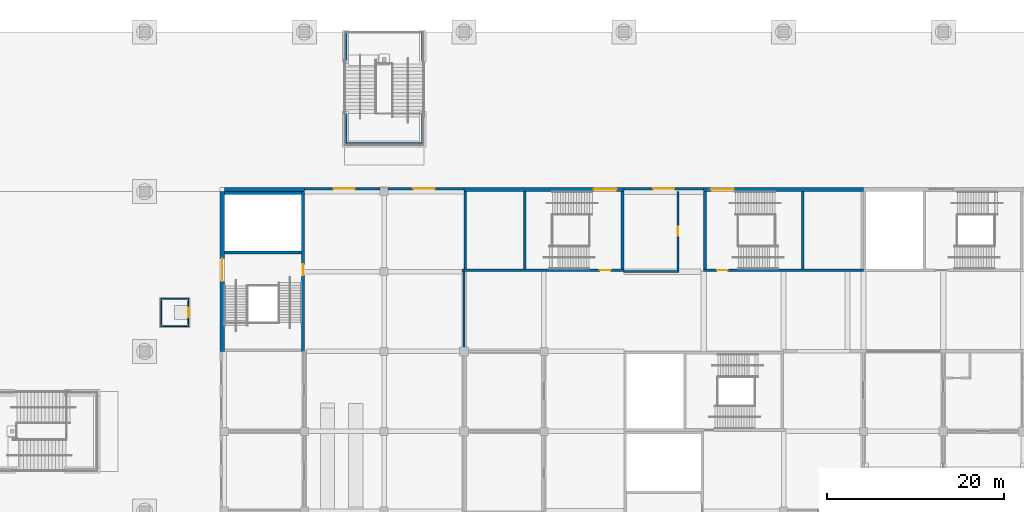
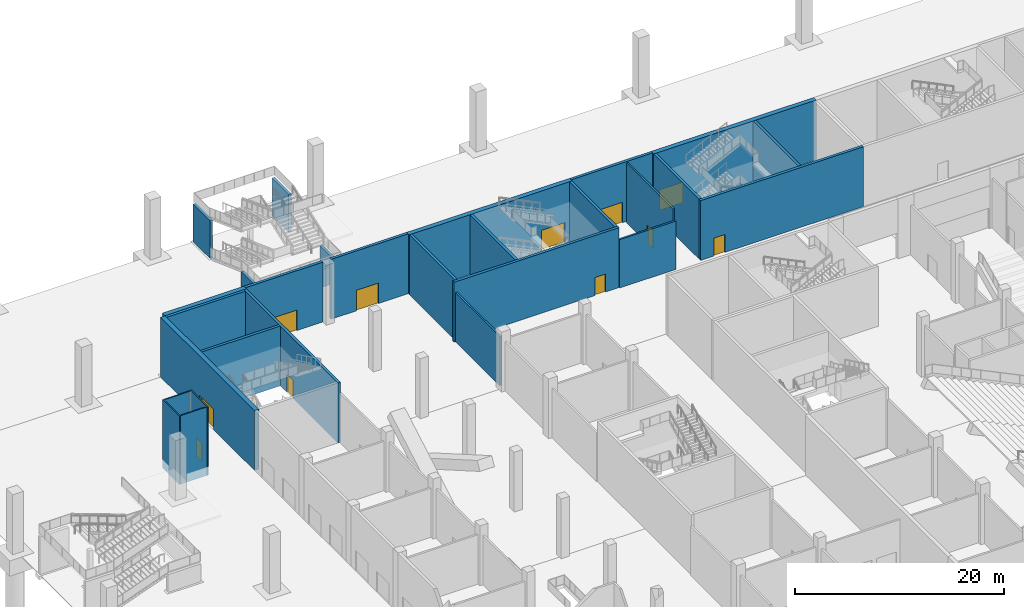
# One storey, part 39 of 92: 29 walls, 11 doors, 11 openings.
"""IFC4 building model written with IfcOpenShell, lengths in metres."""

from ifc_helpers import new_model, si_unit, direction, frame, frame_2d, origin, place, context, subcontext, project, spatial, rectangle, extrude, material, layer, layer_set, type_object, element, fill, save


model = new_model("IFC4")

# Units and contexts
model_context = context("Model", 3, precision=1e-05, world=origin(), true_north=direction((0.0, 1.0)))
body_context = subcontext(model_context, "Body", "Model", "MODEL_VIEW")
ifc_project = project(units=[si_unit("LENGTHUNIT", "METRE"), si_unit("AREAUNIT", "SQUARE_METRE"), si_unit("VOLUMEUNIT", "CUBIC_METRE"), si_unit("PLANEANGLEUNIT", "RADIAN"), si_unit("MASSUNIT", "GRAM", prefix="KILO")], contexts=[model_context])

# Site, building, storey
site_placement = place(None, origin())
site = spatial("IfcSite", under=ifc_project, at=site_placement, CompositionType="ELEMENT")
building_placement = place(site_placement, origin())
building = spatial("IfcBuilding", under=site, at=building_placement, Name="Silverbay Arena", CompositionType="ELEMENT")
storey_placement = place(building_placement, origin())
storey = spatial("IfcBuildingStorey", under=building, at=storey_placement, Name="L00", CompositionType="ELEMENT", Elevation=0.0)

# Wall, opening, door
ifc_material_1 = material(Name="Concrete Grade C45 precast, board-marked finish", Category="concrete")
ifc_layer_1 = layer(ifc_material_1, 0.300048828125)
ifc_layer_set_1 = layer_set([ifc_layer_1], Name="Concrete Grade C45 precast, board-marked finish")
wall_type_1 = type_object("IfcWallType", Name="Board-marked precast wall 300", PredefinedType="SOLIDWALL", material=ifc_layer_set_1)
wall_1_placement = place(storey_placement, frame((44.550048828125, 144.35009765625, 0.0), z_axis=(0.0, 0.0, 1.0), x_axis=(-1.0, 0.0, 0.0)))
wall_1 = element("IfcWall", 1, at=wall_1_placement, inside=storey, type_object=wall_type_1, Name="North external wall L00 bay 2", PredefinedType="SOLIDWALL", context=body_context, shape_type="SweptSolid", body=[
    extrude(rectangle(XDim=8.550048828125, YDim=0.300048828125, at=frame_2d((4.27490234375, 0.0))), origin(), (0.0, 0.0, 1.0), 7.0),
])
opening_1_placement = place(wall_1_placement, frame((2.85009765625, 0.0, 0.0)))
opening_1 = element("IfcOpeningElement", 2, at=opening_1_placement, cuts=wall_1, Name="Opening L00-129", PredefinedType="OPENING", context=body_context, shape_type="SweptSolid", body=[
    extrude(rectangle(XDim=2.39990234375, YDim=2.39990234375, at=frame_2d((1.199951171875, 1.199951171875))), frame((0.0, 0.16015625, 0.0), z_axis=(0.0, -1.0, 0.0), x_axis=(1.0, 0.0, 0.0)), (0.0, 0.0, 1.0), 0.320068359375),
])
ifc_material_2 = material(Name="Steel", Category="steel")
door_type_1 = type_object("IfcDoorType", Name="Exit gate door 2400 x 2400", OperationType="DOUBLE_DOOR_SINGLE_SWING", PredefinedType="DOOR", material=ifc_material_2)
door_1_placement = place(opening_1_placement, frame((2.39990234375, 0.0, 0.0), z_axis=(0.0, 0.0, 1.0), x_axis=(-1.0, 0.0, 0.0)))
door_1 = element("IfcDoor", 3, at=door_1_placement, inside=storey, type_object=door_type_1, Name="Pedestrian exit gate G29", OperationType="DOUBLE_DOOR_SINGLE_SWING", OverallHeight=2.39990234375, OverallWidth=2.39990234375, PredefinedType="DOOR", context=body_context, shape_type="SweptSolid", body=[
    extrude(rectangle(XDim=2.39990234375, YDim=2.39990234375, at=frame_2d((1.199951171875, 1.199951171875))), frame((0.0, 0.02490234375, 0.0), z_axis=(0.0, -1.0, 0.0), x_axis=(1.0, 0.0, 0.0)), (0.0, 0.0, 1.0), 0.050048828125),
])
fill(opening_1, door_1)

wall_2_placement = place(storey_placement, frame((54.0, 144.35009765625, 0.0), z_axis=(0.0, 0.0, 1.0), x_axis=(-1.0, 0.0, 0.0)))
wall_2 = element("IfcWall", 4, at=wall_2_placement, inside=storey, type_object=wall_type_1, Name="North external wall L00 bay 3", PredefinedType="SOLIDWALL", context=body_context, shape_type="SweptSolid", body=[
    extrude(rectangle(XDim=8.550048828125, YDim=0.300048828125, at=frame_2d((4.27490234375, 0.0))), origin(), (0.0, 0.0, 1.0), 7.0),
])
opening_2_placement = place(wall_2_placement, frame((3.300048828125, 0.0, 0.0)))
opening_2 = element("IfcOpeningElement", 5, at=opening_2_placement, cuts=wall_2, Name="Opening L00-130", PredefinedType="OPENING", context=body_context, shape_type="SweptSolid", body=[
    extrude(rectangle(XDim=2.39990234375, YDim=2.39990234375, at=frame_2d((1.199951171875, 1.199951171875))), frame((0.0, 0.16015625, 0.0), z_axis=(0.0, -1.0, 0.0), x_axis=(1.0, 0.0, 0.0)), (0.0, 0.0, 1.0), 0.320068359375),
])
door_2_placement = place(opening_2_placement, frame((2.39990234375, 0.0, 0.0), z_axis=(0.0, 0.0, 1.0), x_axis=(-1.0, 0.0, 0.0)))
door_2 = element("IfcDoor", 6, at=door_2_placement, inside=storey, type_object=door_type_1, Name="Pedestrian exit gate G30", OperationType="DOUBLE_DOOR_SINGLE_SWING", OverallHeight=2.39990234375, OverallWidth=2.39990234375, PredefinedType="DOOR", context=body_context, shape_type="SweptSolid", body=[
    extrude(rectangle(XDim=2.39990234375, YDim=2.39990234375, at=frame_2d((1.199951171875, 1.199951171875))), frame((0.0, 0.02490234375, 0.0), z_axis=(0.0, -1.0, 0.0), x_axis=(1.0, 0.0, 0.0)), (0.0, 0.0, 1.0), 0.050048828125),
])
fill(opening_2, door_2)

wall_3_placement = place(storey_placement, frame((81.0, 144.35009765625, 0.0), z_axis=(0.0, 0.0, 1.0), x_axis=(-1.0, 0.0, 0.0)))
wall_3 = element("IfcWall", 7, at=wall_3_placement, inside=storey, type_object=wall_type_1, Name="North external wall L00 bay 6", PredefinedType="SOLIDWALL", context=body_context, shape_type="SweptSolid", body=[
    extrude(rectangle(XDim=9.0, YDim=0.300048828125, at=frame_2d((4.5, 0.0))), origin(), (0.0, 0.0, 1.0), 7.0),
])
opening_3_placement = place(wall_3_placement, frame((3.300048828125, 0.0, 0.0)))
opening_3 = element("IfcOpeningElement", 8, at=opening_3_placement, cuts=wall_3, Name="Opening L00-131", PredefinedType="OPENING", context=body_context, shape_type="SweptSolid", body=[
    extrude(rectangle(XDim=2.39990234375, YDim=2.39990234375, at=frame_2d((1.199951171875, 1.199951171875))), frame((0.0, 0.16015625, 0.0), z_axis=(0.0, -1.0, 0.0), x_axis=(1.0, 0.0, 0.0)), (0.0, 0.0, 1.0), 0.320068359375),
])
door_3_placement = place(opening_3_placement, frame((2.39990234375, 0.0, 0.0), z_axis=(0.0, 0.0, 1.0), x_axis=(-1.0, 0.0, 0.0)))
door_3 = element("IfcDoor", 9, at=door_3_placement, inside=storey, type_object=door_type_1, Name="Pedestrian exit gate G31", OperationType="DOUBLE_DOOR_SINGLE_SWING", OverallHeight=2.39990234375, OverallWidth=2.39990234375, PredefinedType="DOOR", context=body_context, shape_type="SweptSolid", body=[
    extrude(rectangle(XDim=2.39990234375, YDim=2.39990234375, at=frame_2d((1.199951171875, 1.199951171875))), frame((0.0, 0.02490234375, 0.0), z_axis=(0.0, -1.0, 0.0), x_axis=(1.0, 0.0, 0.0)), (0.0, 0.0, 1.0), 0.050048828125),
])
fill(opening_3, door_3)

ifc_material_3 = material(Name="Concrete Grade C45", Category="concrete")
ifc_layer_2 = layer(ifc_material_3, 0.300048828125)
ifc_layer_set_2 = layer_set([ifc_layer_2], Name="Concrete Grade C45")
wall_type_2 = type_object("IfcWallType", Name="Core wall RC 300 EI 120", PredefinedType="SHEAR", material=ifc_layer_set_2)
wall_4_placement = place(storey_placement, frame((81.0, 135.14990234375, 0.0), z_axis=(0.0, 0.0, 1.0), x_axis=(1.0, 0.0, 0.0)))
wall_4 = element("IfcWall", 10, at=wall_4_placement, inside=storey, type_object=wall_type_2, Name="Core wall ST-N1 L00 door side", PredefinedType="SHEAR", context=body_context, shape_type="SweptSolid", body=[
    extrude(rectangle(XDim=18.0, YDim=0.300048828125, at=frame_2d((9.0, 0.0))), origin(), (0.0, 0.0, 1.0), 7.0),
])
opening_4_placement = place(wall_4_placement, frame((1.5, 0.0, 0.0)))
opening_4 = element("IfcOpeningElement", 11, at=opening_4_placement, cuts=wall_4, Name="Opening L00-166", PredefinedType="OPENING", context=body_context, shape_type="SweptSolid", body=[
    extrude(rectangle(XDim=1.199951171875, YDim=2.10009765625, at=frame_2d((0.60009765625, 1.050048828125))), frame((0.0, 0.16015625, 0.0), z_axis=(0.0, -1.0, 0.0), x_axis=(1.0, 0.0, 0.0)), (0.0, 0.0, 1.0), 0.320068359375),
])
ifc_material_4 = material(Name="Steel fire door", Category="steel")
door_type_2 = type_object("IfcDoorType", Name="Stair door 1200 x 2100 fire door", OperationType="SINGLE_SWING_LEFT", PredefinedType="DOOR", material=ifc_material_4)
door_4_placement = place(opening_4_placement, origin())
door_4 = element("IfcDoor", 12, at=door_4_placement, inside=storey, type_object=door_type_2, Name="Stair door ST-N1 L00", OperationType="SINGLE_SWING_LEFT", OverallHeight=2.10009765625, OverallWidth=1.199951171875, PredefinedType="DOOR", context=body_context, shape_type="SweptSolid", body=[
    extrude(rectangle(XDim=1.199951171875, YDim=2.10009765625, at=frame_2d((0.60009765625, 1.050048828125))), frame((0.0, 0.02490234375, 0.0), z_axis=(0.0, -1.0, 0.0), x_axis=(1.0, 0.0, 0.0)), (0.0, 0.0, 1.0), 0.050048828125),
])
fill(opening_4, door_4)

# Walls
for number, where, z_axis, x_axis, name in (
    (13, (81.14990234375, 135.300048828125, 0.0), (0.0, 0.0, 1.0), (0.0, 1.0, 0.0), "Core wall ST-N1 L00 end 1"),
    (14, (92.14990234375, 135.300048828125, 0.0), (0.0, 0.0, 1.0), (0.0, 1.0, 0.0), "Core wall ST-N1 L00 stair enclosure"),
):
    element("IfcWall", number, at=place(storey_placement, frame(where, z_axis=z_axis, x_axis=x_axis)), inside=storey, type_object=wall_type_2, Name=name, PredefinedType="SHEAR", context=body_context, shape_type="SweptSolid", body=[
        extrude(rectangle(XDim=8.699951171875, YDim=0.300048828125, at=frame_2d((4.35009765625, 0.0))), origin(), (0.0, 0.0, 1.0), 7.0),
    ])

# Wall, opening, door
wall_5_placement = place(storey_placement, frame((72.0, 135.14990234375, 0.0), z_axis=(0.0, 0.0, 1.0), x_axis=(-1.0, 0.0, 0.0)))
wall_5 = element("IfcWall", 15, at=wall_5_placement, inside=storey, type_object=wall_type_2, Name="Core wall ST-N5 L00 door side", PredefinedType="SHEAR", context=body_context, shape_type="SweptSolid", body=[
    extrude(rectangle(XDim=18.25, YDim=0.300048828125, at=frame_2d((9.125, 0.0))), origin(), (0.0, 0.0, 1.0), 7.0),
])
opening_5_placement = place(wall_5_placement, frame((1.5, 0.0, 0.0)))
opening_5 = element("IfcOpeningElement", 16, at=opening_5_placement, cuts=wall_5, Name="Opening L00-178", PredefinedType="OPENING", context=body_context, shape_type="SweptSolid", body=[
    extrude(rectangle(XDim=1.199951171875, YDim=2.10009765625, at=frame_2d((0.60009765625, 1.050048828125))), frame((0.0, 0.16015625, 0.0), z_axis=(0.0, -1.0, 0.0), x_axis=(1.0, 0.0, 0.0)), (0.0, 0.0, 1.0), 0.320068359375),
])
door_5_placement = place(opening_5_placement, frame((1.199951171875, 0.0, 0.0), z_axis=(0.0, 0.0, 1.0), x_axis=(-1.0, 0.0, 0.0)))
door_5 = element("IfcDoor", 17, at=door_5_placement, inside=storey, type_object=door_type_2, Name="Stair door ST-N5 L00", OperationType="SINGLE_SWING_RIGHT", OverallHeight=2.10009765625, OverallWidth=1.199951171875, PredefinedType="DOOR", context=body_context, shape_type="SweptSolid", body=[
    extrude(rectangle(XDim=1.199951171875, YDim=2.10009765625, at=frame_2d((0.60009765625, 1.050048828125))), frame((0.0, 0.02490234375, 0.0), z_axis=(0.0, -1.0, 0.0), x_axis=(1.0, 0.0, 0.0)), (0.0, 0.0, 1.0), 0.050048828125),
])
fill(opening_5, door_5)

# Walls
for number, where, z_axis, x_axis, name in (
    (18, (71.85009765625, 135.300048828125, 0.0), (0.0, 0.0, 1.0), (0.0, 1.0, 0.0), "Core wall ST-N5 L00 end 1"),
    (19, (54.14990234375, 135.300048828125, 0.0), (0.0, 0.0, 1.0), (0.0, 1.0, 0.0), "Core wall ST-N5 L00 end 2"),
    (20, (60.85009765625, 135.300048828125, 0.0), (0.0, 0.0, 1.0), (0.0, 1.0, 0.0), "Core wall ST-N5 L00 stair enclosure"),
):
    element("IfcWall", number, at=place(storey_placement, frame(where, z_axis=z_axis, x_axis=x_axis)), inside=storey, type_object=wall_type_2, Name=name, PredefinedType="SHEAR", context=body_context, shape_type="SweptSolid", body=[
        extrude(rectangle(XDim=8.699951171875, YDim=0.300048828125, at=frame_2d((4.35009765625, 0.0))), origin(), (0.0, 0.0, 1.0), 7.0),
    ])

# Wall, opening, door
wall_6_placement = place(storey_placement, frame((35.85009765625, 126.0, 0.0), z_axis=(0.0, 0.0, 1.0), x_axis=(0.0, 1.0, 0.0)))
wall_6 = element("IfcWall", 21, at=wall_6_placement, inside=storey, type_object=wall_type_2, Name="Core wall ST-WG2 L00 door side", PredefinedType="SHEAR", context=body_context, shape_type="SweptSolid", body=[
    extrude(rectangle(XDim=18.0, YDim=0.300048828125, at=frame_2d((9.0, 0.0))), origin(), (0.0, 0.0, 1.0), 7.0),
])
opening_6_placement = place(wall_6_placement, frame((8.60009765625, 0.0, 0.0)))
opening_6 = element("IfcOpeningElement", 22, at=opening_6_placement, cuts=wall_6, Name="Opening L00-196", PredefinedType="OPENING", context=body_context, shape_type="SweptSolid", body=[
    extrude(rectangle(XDim=1.199951171875, YDim=2.10009765625, at=frame_2d((0.60009765625, 1.050048828125))), frame((0.0, 0.16015625, 0.0), z_axis=(0.0, -1.0, 0.0), x_axis=(1.0, 0.0, 0.0)), (0.0, 0.0, 1.0), 0.320068359375),
])
door_6_placement = place(opening_6_placement, origin())
door_6 = element("IfcDoor", 23, at=door_6_placement, inside=storey, type_object=door_type_2, Name="Stair door ST-WG2 L00", OperationType="SINGLE_SWING_RIGHT", OverallHeight=2.10009765625, OverallWidth=1.199951171875, PredefinedType="DOOR", context=body_context, shape_type="SweptSolid", body=[
    extrude(rectangle(XDim=1.199951171875, YDim=2.10009765625, at=frame_2d((0.60009765625, 1.050048828125))), frame((0.0, 0.02490234375, 0.0), z_axis=(0.0, -1.0, 0.0), x_axis=(1.0, 0.0, 0.0)), (0.0, 0.0, 1.0), 0.050048828125),
])
fill(opening_6, door_6)

# Walls
for number, where, z_axis, x_axis, name in (
    (24, (35.699951171875, 143.85009765625, 0.0), (0.0, 0.0, 1.0), (-1.0, 0.0, 0.0), "Core wall ST-WG2 L00 end 2"),
    (25, (35.699951171875, 137.14990234375, 0.0), (0.0, 0.0, 1.0), (-1.0, 0.0, 0.0), "Core wall ST-WG2 L00 stair enclosure"),
):
    element("IfcWall", number, at=place(storey_placement, frame(where, z_axis=z_axis, x_axis=x_axis)), inside=storey, type_object=wall_type_2, Name=name, PredefinedType="SHEAR", context=body_context, shape_type="SweptSolid", body=[
        extrude(rectangle(XDim=8.699951171875, YDim=0.300048828125, at=frame_2d((4.35009765625, 0.0))), origin(), (0.0, 0.0, 1.0), 7.0),
    ])

# Wall, opening, door
ifc_material_5 = material(Name="Concrete Grade C45", Category="concrete")
ifc_layer_3 = layer(ifc_material_5, 0.5)
ifc_layer_set_3 = layer_set([ifc_layer_3], Name="Concrete Grade C45")
wall_type_3 = type_object("IfcWallType", Name="Core wall RC 500 external EI 120", PredefinedType="SHEAR", material=ifc_layer_set_3)
wall_7_placement = place(storey_placement, frame((81.0, 144.25, 0.0), z_axis=(0.0, 0.0, 1.0), x_axis=(1.0, 0.0, 0.0)))
wall_7 = element("IfcWall", 26, at=wall_7_placement, inside=storey, type_object=wall_type_3, Name="Core wall ST-N1 L00 facade side", PredefinedType="SHEAR", context=body_context, shape_type="SweptSolid", body=[
    extrude(rectangle(XDim=18.0, YDim=0.5, at=frame_2d((9.0, 0.0))), origin(), (0.0, 0.0, 1.0), 7.0),
])
opening_7_placement = place(wall_7_placement, frame((0.800048828125, 0.0, 0.0)))
opening_7 = element("IfcOpeningElement", 27, at=opening_7_placement, cuts=wall_7, Name="Opening L00-167", PredefinedType="OPENING", context=body_context, shape_type="SweptSolid", body=[
    extrude(rectangle(XDim=2.60009765625, YDim=2.39990234375, at=frame_2d((1.300048828125, 1.199951171875))), frame((0.0, 0.260009765625, 0.0), z_axis=(0.0, -1.0, 0.0), x_axis=(1.0, 0.0, 0.0)), (0.0, 0.0, 1.0), 0.52001953125),
])
ifc_material_6 = material(Name="Steel and glass", Category="steel")
door_type_3 = type_object("IfcDoorType", Name="Exit door double leaf 2600 x 2400", OperationType="DOUBLE_DOOR_SINGLE_SWING", PredefinedType="DOOR", material=ifc_material_6)
door_7_placement = place(opening_7_placement, origin())
door_7 = element("IfcDoor", 28, at=door_7_placement, inside=storey, type_object=door_type_3, Name="Pedestrian exit gate G65", OperationType="DOUBLE_DOOR_SINGLE_SWING", OverallHeight=2.39990234375, OverallWidth=2.60009765625, PredefinedType="DOOR", context=body_context, shape_type="SweptSolid", body=[
    extrude(rectangle(XDim=2.60009765625, YDim=2.39990234375, at=frame_2d((1.300048828125, 1.199951171875))), frame((0.0, 0.02490234375, 0.0), z_axis=(0.0, -1.0, 0.0), x_axis=(1.0, 0.0, 0.0)), (0.0, 0.0, 1.0), 0.050048828125),
])
fill(opening_7, door_7)

wall_8_placement = place(storey_placement, frame((72.0, 144.25, 0.0), z_axis=(0.0, 0.0, 1.0), x_axis=(-1.0, 0.0, 0.0)))
wall_8 = element("IfcWall", 29, at=wall_8_placement, inside=storey, type_object=wall_type_3, Name="Core wall ST-N5 L00 facade side", PredefinedType="SHEAR", context=body_context, shape_type="SweptSolid", body=[
    extrude(rectangle(XDim=18.0, YDim=0.5, at=frame_2d((9.0, 0.0))), origin(), (0.0, 0.0, 1.0), 7.0),
])
opening_8_placement = place(wall_8_placement, frame((0.800048828125, 0.0, 0.0)))
opening_8 = element("IfcOpeningElement", 30, at=opening_8_placement, cuts=wall_8, Name="Opening L00-179", PredefinedType="OPENING", context=body_context, shape_type="SweptSolid", body=[
    extrude(rectangle(XDim=2.60009765625, YDim=2.39990234375, at=frame_2d((1.300048828125, 1.199951171875))), frame((0.0, 0.260009765625, 0.0), z_axis=(0.0, -1.0, 0.0), x_axis=(1.0, 0.0, 0.0)), (0.0, 0.0, 1.0), 0.52001953125),
])
door_8_placement = place(opening_8_placement, frame((2.60009765625, 0.0, 0.0), z_axis=(0.0, 0.0, 1.0), x_axis=(-1.0, 0.0, 0.0)))
door_8 = element("IfcDoor", 31, at=door_8_placement, inside=storey, type_object=door_type_3, Name="Pedestrian exit gate G75", OperationType="DOUBLE_DOOR_SINGLE_SWING", OverallHeight=2.39990234375, OverallWidth=2.60009765625, PredefinedType="DOOR", context=body_context, shape_type="SweptSolid", body=[
    extrude(rectangle(XDim=2.60009765625, YDim=2.39990234375, at=frame_2d((1.300048828125, 1.199951171875))), frame((0.0, 0.02490234375, 0.0), z_axis=(0.0, -1.0, 0.0), x_axis=(1.0, 0.0, 0.0)), (0.0, 0.0, 1.0), 0.050048828125),
])
fill(opening_8, door_8)

wall_9_placement = place(storey_placement, frame((26.75, 126.0, 0.0), z_axis=(0.0, 0.0, 1.0), x_axis=(0.0, 1.0, 0.0)))
wall_9 = element("IfcWall", 32, at=wall_9_placement, inside=storey, type_object=wall_type_3, Name="Core wall ST-WG2 L00 facade side", PredefinedType="SHEAR", context=body_context, shape_type="SweptSolid", body=[
    extrude(rectangle(XDim=18.0, YDim=0.5, at=frame_2d((9.0, 0.0))), origin(), (0.0, 0.0, 1.0), 7.0),
])
opening_9_placement = place(wall_9_placement, frame((7.89990234375, 0.0, 0.0)))
opening_9 = element("IfcOpeningElement", 33, at=opening_9_placement, cuts=wall_9, Name="Opening L00-197", PredefinedType="OPENING", context=body_context, shape_type="SweptSolid", body=[
    extrude(rectangle(XDim=2.60009765625, YDim=2.39990234375, at=frame_2d((1.300048828125, 1.199951171875))), frame((0.0, 0.260009765625, 0.0), z_axis=(0.0, -1.0, 0.0), x_axis=(1.0, 0.0, 0.0)), (0.0, 0.0, 1.0), 0.52001953125),
])
door_9_placement = place(opening_9_placement, origin())
door_9 = element("IfcDoor", 34, at=door_9_placement, inside=storey, type_object=door_type_3, Name="Pedestrian exit gate G70", OperationType="DOUBLE_DOOR_SINGLE_SWING", OverallHeight=2.39990234375, OverallWidth=2.60009765625, PredefinedType="DOOR", context=body_context, shape_type="SweptSolid", body=[
    extrude(rectangle(XDim=2.60009765625, YDim=2.39990234375, at=frame_2d((1.300048828125, 1.199951171875))), frame((0.0, 0.02490234375, 0.0), z_axis=(0.0, -1.0, 0.0), x_axis=(1.0, 0.0, 0.0)), (0.0, 0.0, 1.0), 0.050048828125),
])
fill(opening_9, door_9)

ifc_material_7 = material(Name="Glass and aluminium", Category="aluminium")
ifc_layer_4 = layer(ifc_material_7, 0.1201171875)
ifc_layer_set_4 = layer_set([ifc_layer_4], Name="Glass and aluminium")
wall_type_4 = type_object("IfcWallType", Name="Fire-resisting glazed lift enclosure 120", PredefinedType="PARTITIONING", material=ifc_layer_set_4)
wall_10_placement = place(storey_placement, frame((22.93994140625, 128.7900390625, -1.0), z_axis=(0.0, 0.0, 1.0), x_axis=(0.0, 1.0, 0.0)))
wall_10 = element("IfcWall", 35, at=wall_10_placement, inside=storey, type_object=wall_type_4, Name="Glazed lift enclosure LB-D2 L00 landing side", PredefinedType="PARTITIONING", context=body_context, shape_type="SweptSolid", body=[
    extrude(rectangle(XDim=3.219970703125, YDim=0.1201171875, at=frame_2d((1.60986328125, 0.0))), origin(), (0.0, 0.0, 1.0), 8.0),
])
opening_10_placement = place(wall_10_placement, frame((1.06005859375, 0.0, 1.0)))
opening_10 = element("IfcOpeningElement", 36, at=opening_10_placement, cuts=wall_10, Name="Opening L00-223", PredefinedType="OPENING", context=body_context, shape_type="SweptSolid", body=[
    extrude(rectangle(XDim=1.10009765625, YDim=2.10009765625, at=frame_2d((0.550048828125, 1.050048828125))), frame((0.0, 0.070068359375, 0.0), z_axis=(0.0, -1.0, 0.0), x_axis=(1.0, 0.0, 0.0)), (0.0, 0.0, 1.0), 0.14013671875),
])
ifc_material_8 = material(Name="Stainless steel", Category="steel")
door_type_4 = type_object("IfcDoorType", Name="LD1 lift landing door 1100 x 2100", OperationType="DOUBLE_DOOR_SLIDING", PredefinedType="DOOR", material=ifc_material_8)
door_10_placement = place(opening_10_placement, origin())
door_10 = element("IfcDoor", 37, at=door_10_placement, inside=storey, type_object=door_type_4, Name="Lift landing door LF26 L00", OperationType="DOUBLE_DOOR_SLIDING", OverallHeight=2.10009765625, OverallWidth=1.10009765625, PredefinedType="DOOR", context=body_context, shape_type="SweptSolid", body=[
    extrude(rectangle(XDim=1.10009765625, YDim=2.10009765625, at=frame_2d((0.550048828125, 1.050048828125))), frame((0.0, 0.02490234375, 0.0), z_axis=(0.0, -1.0, 0.0), x_axis=(1.0, 0.0, 0.0)), (0.0, 0.0, 1.0), 0.050048828125),
])
fill(opening_10, door_10)

# Walls
wall_11_placement = place(storey_placement, frame((19.860107421875, 128.7900390625, -1.0), z_axis=(0.0, 0.0, 1.0), x_axis=(0.0, 1.0, 0.0)))
element("IfcWall", 38, at=wall_11_placement, inside=storey, type_object=wall_type_4, Name="Glazed lift enclosure LB-D2 L00 back", PredefinedType="PARTITIONING", context=body_context, shape_type="SweptSolid", body=[
    extrude(rectangle(XDim=3.219970703125, YDim=0.1201171875, at=frame_2d((1.60986328125, 0.0))), origin(), (0.0, 0.0, 1.0), 8.0),
])
for number, where, z_axis, x_axis, name in (
    (39, (19.919921875, 128.860107421875, -1.0), (0.0, 0.0, 1.0), (1.0, 0.0, 0.0), "Glazed lift enclosure LB-D2 L00 south"),
    (40, (19.919921875, 131.93994140625, -1.0), (0.0, 0.0, 1.0), (1.0, 0.0, 0.0), "Glazed lift enclosure LB-D2 L00 north"),
):
    element("IfcWall", number, at=place(storey_placement, frame(where, z_axis=z_axis, x_axis=x_axis)), inside=storey, type_object=wall_type_4, Name=name, PredefinedType="PARTITIONING", context=body_context, shape_type="SweptSolid", body=[
        extrude(rectangle(XDim=2.9599609375, YDim=0.1201171875, at=frame_2d((1.47998046875, 0.0))), origin(), (0.0, 0.0, 1.0), 8.0),
    ])
ifc_material_9 = material(Name="Concrete Grade C45", Category="concrete")
ifc_layer_5 = layer(ifc_material_9, 0.300048828125)
ifc_layer_set_5 = layer_set([ifc_layer_5], Name="Concrete Grade C45")
wall_type_5 = type_object("IfcWallType", Name="Landing support wall RC 300 EI 120", PredefinedType="SHEAR", material=ifc_layer_set_5)
for number, where, z_axis, x_axis, name in (
    (41, (40.64990234375, 162.0, 0.0), (0.0, 0.0, 1.0), (0.0, -1.0, 0.0), "Deck stair DS4 landing support wall"),
    (42, (49.35009765625, 162.0, 0.0), (0.0, 0.0, 1.0), (0.0, -1.0, 0.0), "Deck stair DS4 landing support wall"),
):
    element("IfcWall", number, at=place(storey_placement, frame(where, z_axis=z_axis, x_axis=x_axis)), inside=storey, type_object=wall_type_5, Name=name, PredefinedType="SHEAR", context=body_context, shape_type="SweptSolid", body=[
        extrude(rectangle(XDim=3.199951171875, YDim=0.300048828125, at=frame_2d((1.60009765625, 0.0))), origin(), (0.0, 0.0, 1.0), 4.416748046875),
    ])
for number, where, z_axis, x_axis, name in (
    (43, (40.64990234375, 152.837890625, 0.0), (0.0, 0.0, 1.0), (0.0, -1.0, 0.0), "Deck stair DS4 landing support wall"),
    (44, (49.35009765625, 152.837890625, 0.0), (0.0, 0.0, 1.0), (0.0, -1.0, 0.0), "Deck stair DS4 landing support wall"),
):
    element("IfcWall", number, at=place(storey_placement, frame(where, z_axis=z_axis, x_axis=x_axis)), inside=storey, type_object=wall_type_5, Name=name, PredefinedType="SHEAR", context=body_context, shape_type="SweptSolid", body=[
        extrude(rectangle(XDim=3.599853515625, YDim=0.300048828125, at=frame_2d((1.7998046875, 0.0))), origin(), (0.0, 0.0, 1.0), 2.083251953125),
    ])
wall_12_placement = place(storey_placement, frame((40.800048828125, 149.387939453125, 0.0), z_axis=(0.0, 0.0, 1.0), x_axis=(1.0, 0.0, 0.0)))
element("IfcWall", 45, at=wall_12_placement, inside=storey, type_object=wall_type_5, Name="Deck stair DS4 landing support wall", PredefinedType="SHEAR", context=body_context, shape_type="SweptSolid", body=[
    extrude(rectangle(XDim=8.39990234375, YDim=0.300048828125, at=frame_2d((4.199951171875, 0.0))), origin(), (0.0, 0.0, 1.0), 2.083251953125),
])
ifc_material_10 = material(Name="Masonry blockwork partition", Category="masonry")
ifc_layer_6 = layer(ifc_material_10, 0.199951171875)
ifc_layer_set_6 = layer_set([ifc_layer_6], Name="Masonry blockwork partition")
wall_type_6 = type_object("IfcWallType", Name="Partition 200 EI 120", PredefinedType="PARTITIONING", material=ifc_layer_set_6)
wall_13_placement = place(storey_placement, frame((72.0, 135.0, 0.0), z_axis=(0.0, 0.0, 1.0), x_axis=(1.0, 0.0, 0.0)))
element("IfcWall", 46, at=wall_13_placement, inside=storey, type_object=wall_type_6, Name="Partition wall", PredefinedType="PARTITIONING", context=body_context, shape_type="SweptSolid", body=[
    extrude(rectangle(XDim=6.199951171875, YDim=0.199951171875, at=frame_2d((3.10009765625, 0.0))), origin(), (0.0, 0.0, 1.0), 5.64990234375),
])
wall_14_placement = place(storey_placement, frame((54.0, 126.5, 0.0), z_axis=(0.0, 0.0, 1.0), x_axis=(0.0, 1.0, 0.0)))
element("IfcWall", 47, at=wall_14_placement, inside=storey, type_object=wall_type_6, Name="Partition wall", PredefinedType="PARTITIONING", context=body_context, shape_type="SweptSolid", body=[
    extrude(rectangle(XDim=8.5, YDim=0.199951171875, at=frame_2d((4.25, 0.0))), origin(), (0.0, 0.0, 1.0), 5.75),
])

# Wall, opening, door
wall_15_placement = place(storey_placement, frame((78.10009765625, 135.10009765625, 0.0), z_axis=(0.0, 0.0, 1.0), x_axis=(0.0, 1.0, 0.0)))
wall_15 = element("IfcWall", 48, at=wall_15_placement, inside=storey, type_object=wall_type_6, Name="Partition wall", PredefinedType="PARTITIONING", context=body_context, shape_type="SweptSolid", body=[
    extrude(rectangle(XDim=8.89990234375, YDim=0.199951171875, at=frame_2d((4.449951171875, 0.0))), origin(), (0.0, 0.0, 1.0), 7.0),
])
opening_11_placement = place(wall_15_placement, frame((3.949951171875, 0.0, 0.0)))
opening_11 = element("IfcOpeningElement", 49, at=opening_11_placement, cuts=wall_15, Name="Opening L00-004", PredefinedType="OPENING", context=body_context, shape_type="SweptSolid", body=[
    extrude(rectangle(XDim=1.0, YDim=2.10009765625, at=frame_2d((0.5, 1.050048828125))), frame((0.0, 0.10986328125, 0.0), z_axis=(0.0, -1.0, 0.0), x_axis=(1.0, 0.0, 0.0)), (0.0, 0.0, 1.0), 0.219970703125),
])
ifc_material_11 = material(Name="Steel faced timber", Category="steel")
door_type_5 = type_object("IfcDoorType", Name="Single leaf door 1000 x 2100 FD120", OperationType="SINGLE_SWING_LEFT", PredefinedType="DOOR", material=ifc_material_11)
door_11_placement = place(opening_11_placement, origin())
door_11 = element("IfcDoor", 50, at=door_11_placement, inside=storey, type_object=door_type_5, Name="Door L00-004", OperationType="SINGLE_SWING_RIGHT", OverallHeight=2.10009765625, OverallWidth=1.0, PredefinedType="DOOR", context=body_context, shape_type="SweptSolid", body=[
    extrude(rectangle(XDim=1.0, YDim=2.10009765625, at=frame_2d((0.5, 1.050048828125))), frame((0.0, 0.02490234375, 0.0), z_axis=(0.0, -1.0, 0.0), x_axis=(1.0, 0.0, 0.0)), (0.0, 0.0, 1.0), 0.050048828125),
])
fill(opening_11, door_11)

# Wall
ifc_material_12 = material(Name="Concrete Grade C45", Category="concrete")
ifc_layer_7 = layer(ifc_material_12, 0.5)
ifc_layer_set_7 = layer_set([ifc_layer_7], Name="Concrete Grade C45")
wall_type_7 = type_object("IfcWallType", Name="Stair core facade wall 500", PredefinedType="SOLIDWALL", material=ifc_layer_set_7)
wall_16_placement = place(storey_placement, frame((36.0, 144.25, 0.0), z_axis=(0.0, 0.0, 1.0), x_axis=(-1.0, 0.0, 0.0)))
element("IfcWall", 51, at=wall_16_placement, inside=storey, type_object=wall_type_7, Name="North stair core facade wall L00 bay 1", PredefinedType="SOLIDWALL", context=body_context, shape_type="SweptSolid", body=[
    extrude(rectangle(XDim=9.0, YDim=0.5, at=frame_2d((4.5, 0.0))), origin(), (0.0, 0.0, 1.0), 7.0),
])

save(model, "model.ifc")
